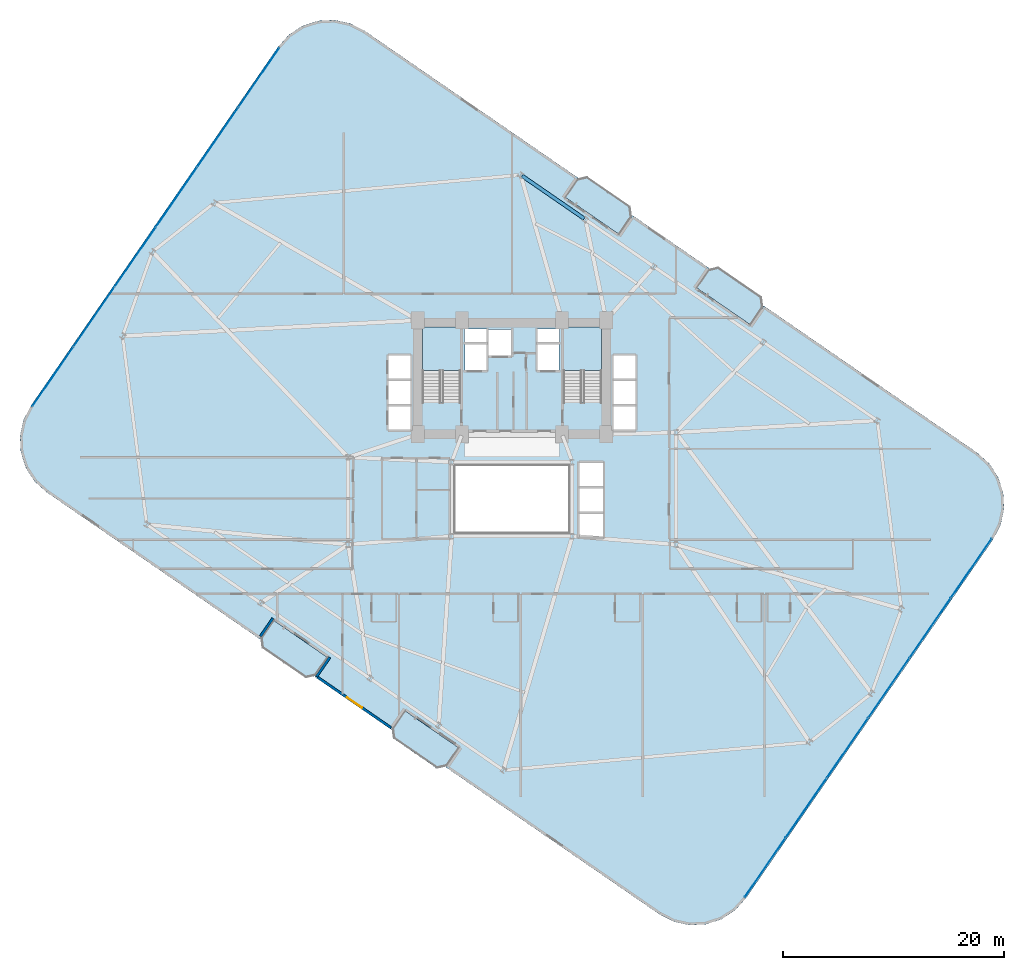
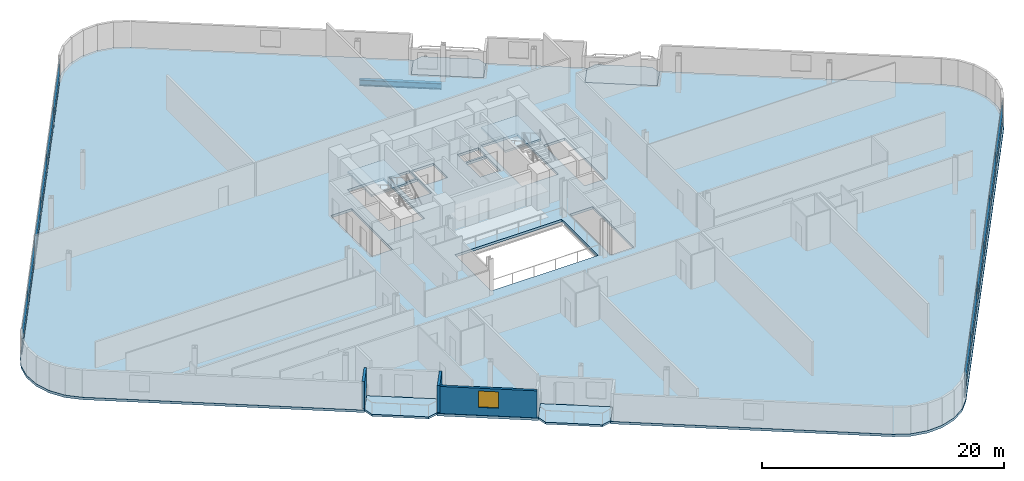
# One storey, part 16 of 24: 24 plates, 7 slabs, 3 walls, 1 beam, 1 window, 1 opening, 4 elements without a shape of their own.
"""IFC4 building model written with IfcOpenShell, lengths in metres."""

from ifc_helpers import new_model, si_unit, direction, frame, frame_2d, origin, origin_2d, place, context, subcontext, project, spatial, polyline, rectangle, i_section, outline, extrude, source, transform, mapped, material, layer, layer_set, material_profile, profile_set, type_object, element, fill, aggregate, save


model = new_model("IFC4")

# Units and contexts
model_context = context("Model", 3, precision=1e-05, world=origin(), true_north=direction((0.0, 1.0)))
body_context = subcontext(model_context, "Body", "Model", "MODEL_VIEW")
ifc_project = project(units=[si_unit("LENGTHUNIT", "METRE"), si_unit("AREAUNIT", "SQUARE_METRE"), si_unit("VOLUMEUNIT", "CUBIC_METRE"), si_unit("PLANEANGLEUNIT", "RADIAN"), si_unit("MASSUNIT", "GRAM", prefix="KILO")], contexts=[model_context])

# Site, building, storey
site_placement = place(None, origin())
site = spatial("IfcSite", under=ifc_project, at=site_placement, CompositionType="ELEMENT")
building_placement = place(site_placement, origin())
building = spatial("IfcBuilding", under=site, at=building_placement, Name="Varnelok Gate Tower", CompositionType="ELEMENT")
storey_placement = place(building_placement, frame((0.0, 0.0, 41.800048828125)))
storey = spatial("IfcBuildingStorey", under=building, at=storey_placement, Name="L09", CompositionType="ELEMENT", Elevation=41.800048828125)

# Beam
ifc_material_1 = material(Name="Structural Steel ASTM A992 Grade 50", Category="steel")
ifc_material_profile = material_profile(ifc_material_1, i_section(OverallWidth=0.323974609375, OverallDepth=0.611083984375, WebThickness=0.0126953125, FlangeThickness=0.01904296875, FilletRadius=0.01806640625, at=origin_2d()), Name="W24X104")
ifc_profile_set = profile_set([ifc_material_profile], Name="Structural Steel ASTM A992 Grade 50")
beam_type = type_object("IfcBeamType", Name="BM-SPN-W24X104", PredefinedType="SPANDREL", material=ifc_profile_set)
beam_placement = place(storey_placement, frame((45.708984375, 48.235107421875, -0.5556640625), z_axis=(-0.823553445566, 0.567238681947, 0.0), x_axis=(-0.567238681947, -0.823553445566, 0.0)))
element("IfcBeam", 1, at=beam_placement, inside=storey, type_object=beam_type, Name="L09 Perimeter Spandrel Beam 12", PredefinedType="SPANDREL", context=body_context, shape_type="SweptSolid", body=[
    extrude(i_section(OverallWidth=0.323974609375, OverallDepth=0.611083984375, WebThickness=0.0126953125, FlangeThickness=0.01904296875, FilletRadius=0.01806640625, at=origin_2d()), origin(), (0.0, 0.0, 1.0), 6.7998046875),
])

# Slabs
ifc_material_2 = material(Name="Concrete C45/55", Category="concrete")
ifc_layer_1 = layer(ifc_material_2, 0.199951171875)
ifc_layer_set_1 = layer_set([ifc_layer_1], Name="Concrete C45/55")
slab_type_1 = type_object("IfcSlabType", Name="SLB-BALC-200", PredefinedType="FLOOR", material=ifc_layer_set_1)
slab_1_placement = place(storey_placement, frame((0.0, 0.0, -0.199951171875)))
element("IfcSlab", 2, at=slab_1_placement, inside=storey, type_object=slab_type_1, Name="L09 South Hollow Balcony 1", PredefinedType="FLOOR", context=body_context, shape_type="SweptSolid", body=[
    extrude(outline(polyline([(16.5048828125, 10.3330078125), (16.67138671875, 9.42919921875), (20.5419921875, 6.762939453125), (21.446044921875, 6.929443359375), (22.58056640625, 8.57666015625), (17.639404296875, 11.980224609375), (16.5048828125, 10.3330078125)])), origin(), (0.0, 0.0, 1.0), 0.199951171875),
])
slab_2_placement = place(storey_placement, frame((0.0, 0.0, -0.199951171875)))
element("IfcSlab", 3, at=slab_2_placement, inside=storey, type_object=slab_type_1, Name="L09 South Hollow Balcony 2", PredefinedType="FLOOR", context=body_context, shape_type="SweptSolid", body=[
    extrude(outline(polyline([(28.36376953125, 2.164306640625), (28.5302734375, 1.260498046875), (32.40087890625, -1.40576171875), (33.304931640625, -1.2392578125), (34.439453125, 0.407958984375), (29.498291015625, 3.8115234375), (28.36376953125, 2.164306640625)])), origin(), (0.0, 0.0, 1.0), 0.199951171875),
])
slab_3_placement = place(storey_placement, frame((0.0, 0.0, -0.199951171875)))
element("IfcSlab", 4, at=slab_3_placement, inside=storey, type_object=slab_type_1, Name="L09 North Hollow Balcony 1", PredefinedType="FLOOR", context=body_context, shape_type="SweptSolid", body=[
    extrude(outline(polyline([(43.960693359375, 50.192138671875), (48.90185546875, 46.78857421875), (50.036376953125, 48.435546875), (49.869873046875, 49.339599609375), (45.999267578125, 52.005615234375), (45.09521484375, 51.839111328125), (43.960693359375, 50.192138671875)])), origin(), (0.0, 0.0, 1.0), 0.199951171875),
])
slab_4_placement = place(storey_placement, frame((0.0, 0.0, -0.199951171875)))
element("IfcSlab", 5, at=slab_4_placement, inside=storey, type_object=slab_type_1, Name="L09 North Hollow Balcony 2", PredefinedType="FLOOR", context=body_context, shape_type="SweptSolid", body=[
    extrude(outline(polyline([(55.819580078125, 42.0234375), (60.7607421875, 38.619873046875), (61.895263671875, 40.266845703125), (61.728515625, 41.1708984375), (57.85791015625, 43.837158203125), (56.9541015625, 43.67041015625), (55.819580078125, 42.0234375)])), origin(), (0.0, 0.0, 1.0), 0.199951171875),
])

# Stair, slab
ifc_material_3 = material(Name="Concrete C50/60", Category="concrete")
stair_type = type_object("IfcStairType", Name="STR-CORE-1650", PredefinedType="HALF_TURN_STAIR", material=ifc_material_3)
stair_1_placement = place(storey_placement, origin())
stair_1 = element("IfcStair", 6, at=stair_1_placement, inside=storey, type_object=stair_type, Name="L09 Exit Stair ST-1", PredefinedType="HALF_TURN_STAIR")
ifc_layer_2 = layer(ifc_material_2, 0.199951171875)
ifc_layer_set_2 = layer_set([ifc_layer_2], Name="Concrete C45/55")
slab_type_2 = type_object("IfcSlabType", Name="SLB-LAND-200", PredefinedType="LANDING", material=ifc_layer_set_2)
slab_5_placement = place(storey_placement, frame((0.0, 0.0, 1.64990234375)))
slab_5 = element("IfcSlab", 7, at=slab_5_placement, type_object=slab_type_2, Name="ST-1 landing 1", PredefinedType="LANDING", context=body_context, shape_type="SweptSolid", body=[
    extrude(outline(polyline([(34.550048828125, 34.5), (34.550048828125, 38.449951171875), (31.10009765625, 38.449951171875), (31.10009765625, 34.5), (34.550048828125, 34.5)])), origin(), (0.0, 0.0, 1.0), 0.199951171875),
])
aggregate(stair_1, [slab_5])

stair_2_placement = place(storey_placement, origin())
stair_2 = element("IfcStair", 8, at=stair_2_placement, inside=storey, type_object=stair_type, Name="L09 Exit Stair ST-2", PredefinedType="HALF_TURN_STAIR")
slab_6_placement = place(storey_placement, frame((0.0, 0.0, 1.64990234375)))
slab_6 = element("IfcSlab", 9, at=slab_6_placement, type_object=slab_type_2, Name="ST-2 landing 1", PredefinedType="LANDING", context=body_context, shape_type="SweptSolid", body=[
    extrude(outline(polyline([(47.300048828125, 34.5), (47.300048828125, 38.449951171875), (43.85009765625, 38.449951171875), (43.85009765625, 34.5), (47.300048828125, 34.5)])), origin(), (0.0, 0.0, 1.0), 0.199951171875),
])
aggregate(stair_2, [slab_6])

# Slab
ifc_layer_3 = layer(ifc_material_3, 0.25)
ifc_layer_set_3 = layer_set([ifc_layer_3], Name="Concrete C50/60")
slab_type_3 = type_object("IfcSlabType", Name="SLB-TYP-250", PredefinedType="FLOOR", material=ifc_layer_set_3)
slab_7_placement = place(storey_placement, frame((0.0, 0.0, -0.25)))
element("IfcSlab", 10, at=slab_7_placement, inside=storey, type_object=slab_type_3, Name="L09 Structural Floor Slab", PredefinedType="FLOOR", context=body_context, shape_type="SweptSolid", body=[
    extrude(outline(polyline([(-4.2578125, 31.3134765625), (-4.922607421875, 30.011474609375), (-5.22802734375, 28.581787109375), (-5.1533203125, 27.121826171875), (-4.702880859375, 25.731201171875), (-3.907958984375, 24.504150390625), (-2.822509765625, 23.52490234375), (7.7734375, 16.22607421875), (16.447998046875, 10.250732421875), (17.639404296875, 11.980224609375), (22.58056640625, 8.57666015625), (21.389404296875, 6.84716796875), (28.306884765625, 2.08203125), (29.498291015625, 3.8115234375), (34.439453125, 0.407958984375), (33.248046875, -1.321533203125), (41.922607421875, -7.296875), (52.518798828125, -14.595703125), (53.82080078125, -15.2607421875), (55.250244140625, -15.566162109375), (56.710205078125, -15.4912109375), (58.10107421875, -15.040771484375), (59.327880859375, -14.245849609375), (60.307373046875, -13.160400390625), (82.65771484375, 19.28662109375), (83.32275390625, 20.58837890625), (83.628173828125, 22.018310546875), (83.55322265625, 23.47802734375), (83.102783203125, 24.868896484375), (82.30810546875, 26.095703125), (81.22265625, 27.0751953125), (70.62646484375, 34.3740234375), (61.951904296875, 40.34912109375), (60.7607421875, 38.619873046875), (55.819580078125, 42.0234375), (57.0107421875, 43.752685546875), (50.093017578125, 48.517822265625), (48.90185546875, 46.78857421875), (43.960693359375, 50.192138671875), (45.15185546875, 51.92138671875), (36.477294921875, 57.896728515625), (25.881103515625, 65.195556640625), (24.579345703125, 65.860595703125), (23.149658203125, 66.166015625), (21.689697265625, 66.091064453125), (20.299072265625, 65.640869140625), (19.072021484375, 64.845947265625), (18.0927734375, 63.760498046875), (-4.2578125, 31.3134765625)]), holes=[polyline([(34.550048828125, 31.679931640625), (34.550048828125, 38.449951171875), (31.10009765625, 38.449951171875), (31.10009765625, 31.679931640625), (34.550048828125, 31.679931640625)]), polyline([(47.300048828125, 31.679931640625), (47.300048828125, 38.449951171875), (43.85009765625, 38.449951171875), (43.85009765625, 31.679931640625), (47.300048828125, 31.679931640625)]), polyline([(34.949951171875, 34.550048828125), (36.89990234375, 34.550048828125), (36.89990234375, 36.89990234375), (34.949951171875, 36.89990234375), (34.949951171875, 34.550048828125)]), polyline([(41.5, 34.550048828125), (43.449951171875, 34.550048828125), (43.449951171875, 36.89990234375), (41.5, 36.89990234375), (41.5, 34.550048828125)]), polyline([(37.050048828125, 35.85009765625), (39.14990234375, 35.85009765625), (39.14990234375, 38.199951171875), (37.050048828125, 38.199951171875), (37.050048828125, 35.85009765625)]), polyline([(28.050048828125, 29.14990234375), (30.050048828125, 29.14990234375), (30.050048828125, 35.89990234375), (28.050048828125, 35.89990234375), (28.050048828125, 29.14990234375)]), polyline([(48.35009765625, 29.14990234375), (50.35009765625, 29.14990234375), (50.35009765625, 35.89990234375), (48.35009765625, 35.89990234375), (48.35009765625, 29.14990234375)]), polyline([(45.25, 19.449951171875), (47.449951171875, 19.449951171875), (47.449951171875, 26.199951171875), (45.25, 26.199951171875), (45.25, 19.449951171875)]), polyline([(34.919921875, 37.080078125), (36.89990234375, 37.080078125), (36.89990234375, 38.280029296875), (34.919921875, 38.280029296875), (34.919921875, 37.080078125)]), polyline([(41.5, 37.080078125), (43.47998046875, 37.080078125), (43.47998046875, 38.280029296875), (41.5, 38.280029296875), (41.5, 37.080078125)]), polyline([(34.10009765625, 19.89990234375), (44.300048828125, 19.89990234375), (44.300048828125, 25.89990234375), (34.10009765625, 25.89990234375), (34.10009765625, 19.89990234375)])]), origin(), (0.0, 0.0, 1.0), 0.25),
])

# Curtain wall, plates
ifc_material_4 = material(Name="Anodized Aluminum Alloy 6063-T6", Category="aluminium")
ifc_layer_4 = layer(ifc_material_4, 0.179931640625)
ifc_layer_set_4 = layer_set([ifc_layer_4], Name="Anodized Aluminum Alloy 6063-T6")
curtain_wall_type = type_object("IfcCurtainWallType", Name="CW3-HOTEL-VISION", PredefinedType="USERDEFINED", material=ifc_layer_set_4)
curtain_wall_1_placement = place(storey_placement, origin())
curtain_wall_1 = element("IfcCurtainWall", 11, at=curtain_wall_1_placement, inside=storey, type_object=curtain_wall_type, Name="L09 West End Vision Curtain Wall", ObjectType="UNITISED CURTAIN WALL", PredefinedType="USERDEFINED")
ifc_material_5 = material(Name="Low-E Laminated Double Glazing IGU", Category="glass")
ifc_layer_5 = layer(ifc_material_5, 0.031982421875)
ifc_layer_set_5 = layer_set([ifc_layer_5], Name="Low-E Laminated Double Glazing IGU")
plate_type = type_object("IfcPlateType", Name="CW-PNL-IGU32", PredefinedType="CURTAIN_PANEL", material=ifc_layer_set_5)
shared_shape_1 = source(origin(), body_context, "Body", "SweptSolid", [
    extrude(rectangle(XDim=6.46923828125, YDim=0.031982421875, at=origin_2d()), origin(), (0.0, 0.0, 1.0), 0.802490234375),
])
plate_1_placement = place(storey_placement, frame((-2.270751953125, 33.951171875, 0.06494140625), z_axis=(0.0, 0.0, 1.0), x_axis=(0.567268822124, 0.823532685111, 0.0)))
plate_1 = element("IfcPlate", 12, at=plate_1_placement, type_object=plate_type, Name="CW3 panel 1.1", PredefinedType="CURTAIN_PANEL", context=body_context, shape_type="MappedRepresentation", body=[
    mapped(shared_shape_1, transform((0.0, 0.0, 0.0), scale=1.0)),
])
plate_2_placement = place(storey_placement, frame((16.336181640625, 60.9638671875, 0.06494140625), z_axis=(0.0, 0.0, 1.0), x_axis=(0.567268822124, 0.823532685111, 0.0)))
plate_2 = element("IfcPlate", 13, at=plate_2_placement, type_object=plate_type, Name="CW3 panel 6.1", PredefinedType="CURTAIN_PANEL", context=body_context, shape_type="MappedRepresentation", body=[
    mapped(shared_shape_1, transform((0.0, 0.0, 0.0), scale=1.0)),
])

curtain_wall_2_placement = place(storey_placement, origin())
curtain_wall_2 = element("IfcCurtainWall", 14, at=curtain_wall_2_placement, inside=storey, type_object=curtain_wall_type, Name="L09 East End Vision Curtain Wall", ObjectType="UNITISED CURTAIN WALL", PredefinedType="USERDEFINED")
plate_3_placement = place(storey_placement, frame((80.670654296875, 16.648681640625, 0.06494140625), z_axis=(0.0, 0.0, 1.0), x_axis=(-0.567268822124, -0.823532685111, 0.0)))
plate_3 = element("IfcPlate", 15, at=plate_3_placement, type_object=plate_type, Name="CW3 panel 1.1", PredefinedType="CURTAIN_PANEL", context=body_context, shape_type="MappedRepresentation", body=[
    mapped(shared_shape_1, transform((0.0, 0.0, 0.0), scale=1.0)),
])
plate_4_placement = place(storey_placement, frame((62.063720703125, -10.36376953125, 0.06494140625), z_axis=(0.0, 0.0, 1.0), x_axis=(-0.567268822124, -0.823532685111, 0.0)))
plate_4 = element("IfcPlate", 16, at=plate_4_placement, type_object=plate_type, Name="CW3 panel 6.1", PredefinedType="CURTAIN_PANEL", context=body_context, shape_type="MappedRepresentation", body=[
    mapped(shared_shape_1, transform((0.0, 0.0, 0.0), scale=1.0)),
])

# Plate
shared_shape_2 = source(origin(), body_context, "Body", "SweptSolid", [
    extrude(rectangle(XDim=6.46923828125, YDim=0.031982421875, at=origin_2d()), origin(), (0.0, 0.0, 1.0), 1.732421875),
])
plate_5_placement = place(storey_placement, frame((-2.270751953125, 33.951171875, 0.932373046875), z_axis=(0.0, 0.0, 1.0), x_axis=(0.567268822124, 0.823532685111, 0.0)))
plate_5 = element("IfcPlate", 17, at=plate_5_placement, type_object=plate_type, Name="CW3 panel 1.2", PredefinedType="CURTAIN_PANEL", context=body_context, shape_type="MappedRepresentation", body=[
    mapped(shared_shape_2, transform((0.0, 0.0, 0.0), scale=1.0)),
])

plate_6_placement = place(storey_placement, frame((16.336181640625, 60.9638671875, 0.932373046875), z_axis=(0.0, 0.0, 1.0), x_axis=(0.567268822124, 0.823532685111, 0.0)))
plate_6 = element("IfcPlate", 18, at=plate_6_placement, type_object=plate_type, Name="CW3 panel 6.2", PredefinedType="CURTAIN_PANEL", context=body_context, shape_type="MappedRepresentation", body=[
    mapped(shared_shape_2, transform((0.0, 0.0, 0.0), scale=1.0)),
])

plate_7_placement = place(storey_placement, frame((80.670654296875, 16.648681640625, 0.932373046875), z_axis=(0.0, 0.0, 1.0), x_axis=(-0.567268822124, -0.823532685111, 0.0)))
plate_7 = element("IfcPlate", 19, at=plate_7_placement, type_object=plate_type, Name="CW3 panel 1.2", PredefinedType="CURTAIN_PANEL", context=body_context, shape_type="MappedRepresentation", body=[
    mapped(shared_shape_2, transform((0.0, 0.0, 0.0), scale=1.0)),
])

plate_8_placement = place(storey_placement, frame((62.063720703125, -10.36376953125, 0.932373046875), z_axis=(0.0, 0.0, 1.0), x_axis=(-0.567268822124, -0.823532685111, 0.0)))
plate_8 = element("IfcPlate", 20, at=plate_8_placement, type_object=plate_type, Name="CW3 panel 6.2", PredefinedType="CURTAIN_PANEL", context=body_context, shape_type="MappedRepresentation", body=[
    mapped(shared_shape_2, transform((0.0, 0.0, 0.0), scale=1.0)),
])

shared_shape_3 = source(origin(), body_context, "Body", "SweptSolid", [
    extrude(rectangle(XDim=6.501708984375, YDim=0.031982421875, at=origin_2d()), origin(), (0.0, 0.0, 1.0), 0.802490234375),
])
plate_9_placement = place(storey_placement, frame((1.4453125, 39.345703125, 0.06494140625), z_axis=(0.0, 0.0, 1.0), x_axis=(0.567268822124, 0.823532685111, 0.0)))
plate_9 = element("IfcPlate", 21, at=plate_9_placement, type_object=plate_type, Name="CW3 panel 2.1", PredefinedType="CURTAIN_PANEL", context=body_context, shape_type="MappedRepresentation", body=[
    mapped(shared_shape_3, transform((0.0, 0.0, 0.0), scale=1.0)),
])

plate_10_placement = place(storey_placement, frame((5.170166015625, 44.753662109375, 0.06494140625), z_axis=(0.0, 0.0, 1.0), x_axis=(0.567268822124, 0.823532685111, 0.0)))
plate_10 = element("IfcPlate", 22, at=plate_10_placement, type_object=plate_type, Name="CW3 panel 3.1", PredefinedType="CURTAIN_PANEL", context=body_context, shape_type="MappedRepresentation", body=[
    mapped(shared_shape_3, transform((0.0, 0.0, 0.0), scale=1.0)),
])

plate_11_placement = place(storey_placement, frame((8.895263671875, 50.161376953125, 0.06494140625), z_axis=(0.0, 0.0, 1.0), x_axis=(0.567268822124, 0.823532685111, 0.0)))
plate_11 = element("IfcPlate", 23, at=plate_11_placement, type_object=plate_type, Name="CW3 panel 4.1", PredefinedType="CURTAIN_PANEL", context=body_context, shape_type="MappedRepresentation", body=[
    mapped(shared_shape_3, transform((0.0, 0.0, 0.0), scale=1.0)),
])

plate_12_placement = place(storey_placement, frame((12.620361328125, 55.5693359375, 0.06494140625), z_axis=(0.0, 0.0, 1.0), x_axis=(0.567268822124, 0.823532685111, 0.0)))
plate_12 = element("IfcPlate", 24, at=plate_12_placement, type_object=plate_type, Name="CW3 panel 5.1", PredefinedType="CURTAIN_PANEL", context=body_context, shape_type="MappedRepresentation", body=[
    mapped(shared_shape_3, transform((0.0, 0.0, 0.0), scale=1.0)),
])

plate_13_placement = place(storey_placement, frame((76.954833984375, 11.25439453125, 0.06494140625), z_axis=(0.0, 0.0, 1.0), x_axis=(-0.567268822124, -0.823532685111, 0.0)))
plate_13 = element("IfcPlate", 25, at=plate_13_placement, type_object=plate_type, Name="CW3 panel 2.1", PredefinedType="CURTAIN_PANEL", context=body_context, shape_type="MappedRepresentation", body=[
    mapped(shared_shape_3, transform((0.0, 0.0, 0.0), scale=1.0)),
])

plate_14_placement = place(storey_placement, frame((73.229736328125, 5.846435546875, 0.06494140625), z_axis=(0.0, 0.0, 1.0), x_axis=(-0.567268822124, -0.823532685111, 0.0)))
plate_14 = element("IfcPlate", 26, at=plate_14_placement, type_object=plate_type, Name="CW3 panel 3.1", PredefinedType="CURTAIN_PANEL", context=body_context, shape_type="MappedRepresentation", body=[
    mapped(shared_shape_3, transform((0.0, 0.0, 0.0), scale=1.0)),
])

plate_15_placement = place(storey_placement, frame((69.504638671875, 0.4384765625, 0.06494140625), z_axis=(0.0, 0.0, 1.0), x_axis=(-0.567268822124, -0.823532685111, 0.0)))
plate_15 = element("IfcPlate", 27, at=plate_15_placement, type_object=plate_type, Name="CW3 panel 4.1", PredefinedType="CURTAIN_PANEL", context=body_context, shape_type="MappedRepresentation", body=[
    mapped(shared_shape_3, transform((0.0, 0.0, 0.0), scale=1.0)),
])

plate_16_placement = place(storey_placement, frame((65.779541015625, -4.96923828125, 0.06494140625), z_axis=(0.0, 0.0, 1.0), x_axis=(-0.567268822124, -0.823532685111, 0.0)))
plate_16 = element("IfcPlate", 28, at=plate_16_placement, type_object=plate_type, Name="CW3 panel 5.1", PredefinedType="CURTAIN_PANEL", context=body_context, shape_type="MappedRepresentation", body=[
    mapped(shared_shape_3, transform((0.0, 0.0, 0.0), scale=1.0)),
])

shared_shape_4 = source(origin(), body_context, "Body", "SweptSolid", [
    extrude(rectangle(XDim=6.501708984375, YDim=0.031982421875, at=origin_2d()), origin(), (0.0, 0.0, 1.0), 1.732421875),
])
plate_17_placement = place(storey_placement, frame((1.4453125, 39.345703125, 0.932373046875), z_axis=(0.0, 0.0, 1.0), x_axis=(0.567268822124, 0.823532685111, 0.0)))
plate_17 = element("IfcPlate", 29, at=plate_17_placement, type_object=plate_type, Name="CW3 panel 2.2", PredefinedType="CURTAIN_PANEL", context=body_context, shape_type="MappedRepresentation", body=[
    mapped(shared_shape_4, transform((0.0, 0.0, 0.0), scale=1.0)),
])

plate_18_placement = place(storey_placement, frame((5.170166015625, 44.753662109375, 0.932373046875), z_axis=(0.0, 0.0, 1.0), x_axis=(0.567268822124, 0.823532685111, 0.0)))
plate_18 = element("IfcPlate", 30, at=plate_18_placement, type_object=plate_type, Name="CW3 panel 3.2", PredefinedType="CURTAIN_PANEL", context=body_context, shape_type="MappedRepresentation", body=[
    mapped(shared_shape_4, transform((0.0, 0.0, 0.0), scale=1.0)),
])

plate_19_placement = place(storey_placement, frame((8.895263671875, 50.161376953125, 0.932373046875), z_axis=(0.0, 0.0, 1.0), x_axis=(0.567268822124, 0.823532685111, 0.0)))
plate_19 = element("IfcPlate", 31, at=plate_19_placement, type_object=plate_type, Name="CW3 panel 4.2", PredefinedType="CURTAIN_PANEL", context=body_context, shape_type="MappedRepresentation", body=[
    mapped(shared_shape_4, transform((0.0, 0.0, 0.0), scale=1.0)),
])

plate_20_placement = place(storey_placement, frame((12.620361328125, 55.5693359375, 0.932373046875), z_axis=(0.0, 0.0, 1.0), x_axis=(0.567268822124, 0.823532685111, 0.0)))
plate_20 = element("IfcPlate", 32, at=plate_20_placement, type_object=plate_type, Name="CW3 panel 5.2", PredefinedType="CURTAIN_PANEL", context=body_context, shape_type="MappedRepresentation", body=[
    mapped(shared_shape_4, transform((0.0, 0.0, 0.0), scale=1.0)),
])

aggregate(curtain_wall_1, [plate_1, plate_5, plate_9, plate_17, plate_10, plate_18, plate_11, plate_19, plate_12, plate_20, plate_2, plate_6])

plate_21_placement = place(storey_placement, frame((76.954833984375, 11.25439453125, 0.932373046875), z_axis=(0.0, 0.0, 1.0), x_axis=(-0.567268822124, -0.823532685111, 0.0)))
plate_21 = element("IfcPlate", 33, at=plate_21_placement, type_object=plate_type, Name="CW3 panel 2.2", PredefinedType="CURTAIN_PANEL", context=body_context, shape_type="MappedRepresentation", body=[
    mapped(shared_shape_4, transform((0.0, 0.0, 0.0), scale=1.0)),
])

plate_22_placement = place(storey_placement, frame((73.229736328125, 5.846435546875, 0.932373046875), z_axis=(0.0, 0.0, 1.0), x_axis=(-0.567268822124, -0.823532685111, 0.0)))
plate_22 = element("IfcPlate", 34, at=plate_22_placement, type_object=plate_type, Name="CW3 panel 3.2", PredefinedType="CURTAIN_PANEL", context=body_context, shape_type="MappedRepresentation", body=[
    mapped(shared_shape_4, transform((0.0, 0.0, 0.0), scale=1.0)),
])

plate_23_placement = place(storey_placement, frame((69.504638671875, 0.4384765625, 0.932373046875), z_axis=(0.0, 0.0, 1.0), x_axis=(-0.567268822124, -0.823532685111, 0.0)))
plate_23 = element("IfcPlate", 35, at=plate_23_placement, type_object=plate_type, Name="CW3 panel 4.2", PredefinedType="CURTAIN_PANEL", context=body_context, shape_type="MappedRepresentation", body=[
    mapped(shared_shape_4, transform((0.0, 0.0, 0.0), scale=1.0)),
])

plate_24_placement = place(storey_placement, frame((65.779541015625, -4.96923828125, 0.932373046875), z_axis=(0.0, 0.0, 1.0), x_axis=(-0.567268822124, -0.823532685111, 0.0)))
plate_24 = element("IfcPlate", 36, at=plate_24_placement, type_object=plate_type, Name="CW3 panel 5.2", PredefinedType="CURTAIN_PANEL", context=body_context, shape_type="MappedRepresentation", body=[
    mapped(shared_shape_4, transform((0.0, 0.0, 0.0), scale=1.0)),
])

aggregate(curtain_wall_2, [plate_3, plate_7, plate_13, plate_21, plate_14, plate_22, plate_15, plate_23, plate_16, plate_24, plate_4, plate_8])

# Walls
ifc_layer_6 = layer(ifc_material_2, 0.219970703125)
ifc_layer_set_6 = layer_set([ifc_layer_6], Name="Concrete C45/55")
wall_type = type_object("IfcWallType", Name="EW-BALC-220", PredefinedType="SOLIDWALL", material=ifc_layer_set_6)
wall_1_placement = place(storey_placement, frame((16.48828125, 10.5205078125, 0.0), z_axis=(0.0, 0.0, 1.0), x_axis=(0.567131976434, 0.823626930902, 0.0)))
element("IfcWall", 37, at=wall_1_placement, inside=storey, type_object=wall_type, Name="L09 Perimeter Facade Closure Wall 8", PredefinedType="SOLIDWALL", context=body_context, shape_type="SweptSolid", body=[
    extrude(rectangle(XDim=1.97509765625, YDim=0.219970703125, at=frame_2d((0.987548828125, 0.0))), origin(), (0.0, 0.0, 1.0), 2.72998046875),
])
wall_2_placement = place(storey_placement, frame((22.747314453125, 8.607421875, 0.0), z_axis=(0.0, 0.0, 1.0), x_axis=(-0.567219383419, -0.823566737474, 0.0)))
element("IfcWall", 38, at=wall_2_placement, inside=storey, type_object=wall_type, Name="L09 Perimeter Facade Closure Wall 9", PredefinedType="SOLIDWALL", context=body_context, shape_type="SweptSolid", body=[
    extrude(rectangle(XDim=2.10009765625, YDim=0.219970703125, at=frame_2d((1.050048828125, 0.0))), origin(), (0.0, 0.0, 1.0), 2.72998046875),
])

# Wall, opening, window
wall_3_placement = place(storey_placement, frame((21.6591796875, 6.806884765625, 0.0), z_axis=(0.0, 0.0, 1.0), x_axis=(0.823535360023, -0.567264938799, 0.0)))
wall_3 = element("IfcWall", 39, at=wall_3_placement, inside=storey, type_object=wall_type, Name="L09 Perimeter Facade Closure Wall 10", PredefinedType="SOLIDWALL", context=body_context, shape_type="SweptSolid", body=[
    extrude(rectangle(XDim=8.034912109375, YDim=0.219970703125, at=frame_2d((4.017578125, 0.0))), origin(), (0.0, 0.0, 1.0), 2.72998046875),
])
opening_placement = place(wall_3_placement, frame((3.1923828125, 0.0, 0.800048828125)))
opening = element("IfcOpeningElement", 40, at=opening_placement, cuts=wall_3, Name="Opening WN3", PredefinedType="OPENING", context=body_context, shape_type="SweptSolid", body=[
    extrude(rectangle(XDim=1.64990234375, YDim=1.64990234375, at=frame_2d((0.824951171875, 0.824951171875))), frame((0.0, 0.119873046875, 0.0), z_axis=(0.0, -1.0, 0.0), x_axis=(1.0, 0.0, 0.0)), (0.0, 0.0, 1.0), 0.239990234375),
])
window_type = type_object("IfcWindowType", Name="WN-HTL-1650", PartitioningType="SINGLE_PANEL", PredefinedType="WINDOW", material=ifc_material_5)
window_placement = place(opening_placement, origin())
window = element("IfcWindow", 41, at=window_placement, inside=storey, type_object=window_type, Name="L09 Perimeter Vision Window 10", OverallHeight=1.64990234375, OverallWidth=1.64990234375, PartitioningType="SINGLE_PANEL", PredefinedType="WINDOW", context=body_context, shape_type="SweptSolid", body=[
    extrude(rectangle(XDim=1.64990234375, YDim=1.64990234375, at=frame_2d((0.824951171875, 0.824951171875))), frame((0.0, 0.030029296875, 0.0), z_axis=(0.0, -1.0, 0.0), x_axis=(1.0, 0.0, 0.0)), (0.0, 0.0, 1.0), 0.06005859375),
])
fill(opening, window)

save(model, "model.ifc")
